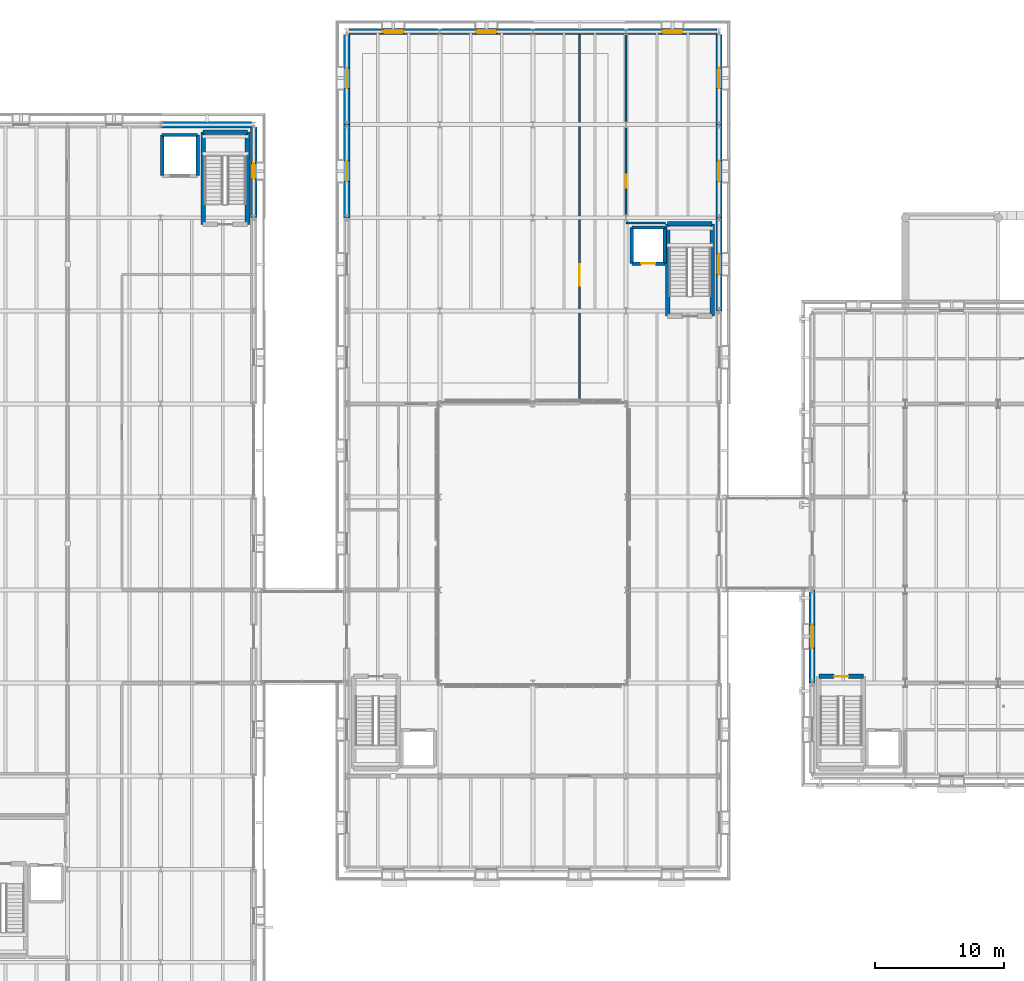
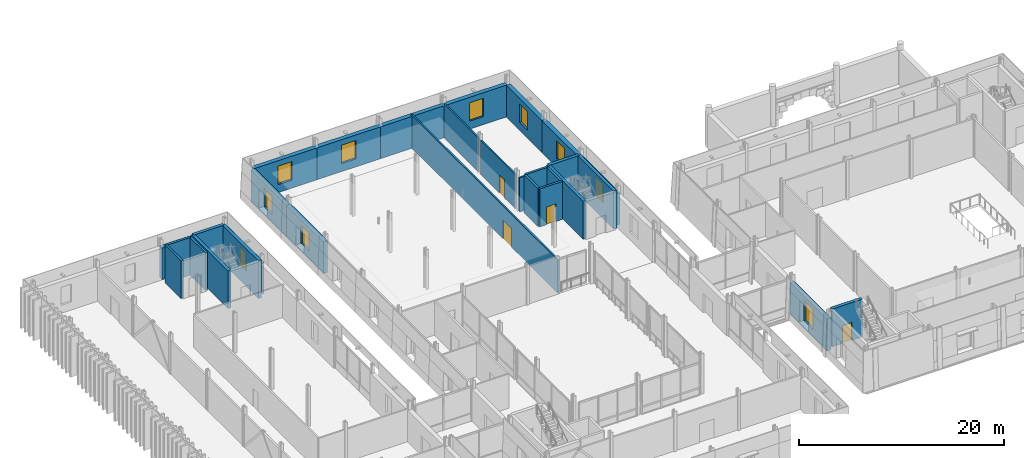
# One storey, part 82 of 121: 30 walls, 10 windows, 4 doors, 14 openings.
"""IFC4 building model written with IfcOpenShell, lengths in metres."""

from ifc_helpers import new_model, si_unit, direction, frame, frame_2d, origin, place, context, subcontext, project, spatial, rectangle, extrude, material, layer, layer_set, type_object, element, fill, save


model = new_model("IFC4")

# Units and contexts
model_context = context("Model", 3, precision=1e-05, world=origin(), true_north=direction((0.0, 1.0)))
body_context = subcontext(model_context, "Body", "Model", "MODEL_VIEW")
ifc_project = project(units=[si_unit("LENGTHUNIT", "METRE"), si_unit("AREAUNIT", "SQUARE_METRE"), si_unit("VOLUMEUNIT", "CUBIC_METRE"), si_unit("PLANEANGLEUNIT", "RADIAN"), si_unit("MASSUNIT", "GRAM", prefix="KILO")], contexts=[model_context])

# Site, building, storey
site_placement = place(None, origin())
site = spatial("IfcSite", under=ifc_project, at=site_placement, CompositionType="ELEMENT")
building_placement = place(site_placement, origin())
building = spatial("IfcBuilding", under=site, at=building_placement, Name="Narikvali Park Central Library", CompositionType="ELEMENT")
storey_placement = place(building_placement, frame((0.0, 0.0, 5.39990234375)))
storey = spatial("IfcBuildingStorey", under=building, at=storey_placement, Name="L01", CompositionType="ELEMENT", Elevation=5.39990234375)

# Wall, opening, door
ifc_material_1 = material(Name="Acoustic Gypsum on Steel Studs", Category="steel")
ifc_layer_1 = layer(ifc_material_1, 0.179931640625, Name="Acoustic Gypsum on Steel Studs")
ifc_layer_set_1 = layer_set([ifc_layer_1], Name="Acoustic Gypsum on Steel Studs")
wall_type_1 = type_object("IfcWallType", Name="Reading Room Acoustic Partition 180", PredefinedType="PARTITIONING", material=ifc_layer_set_1)
wall_1_placement = place(storey_placement, frame((46.800048828125, 86.491943359375, 0.0), z_axis=(0.0, 0.0, 1.0), x_axis=(0.0, 1.0, 0.0)))
wall_1 = element("IfcWall", 1, at=wall_1_placement, inside=storey, type_object=wall_type_1, Name="Sciences and Arts Reading Room L01 Partition E", PredefinedType="PARTITIONING", context=body_context, shape_type="SweptSolid", body=[
    extrude(rectangle(XDim=28.653076171875, YDim=0.179931640625, at=frame_2d((14.32666015625, 0.0))), origin(), (0.0, 0.0, 1.0), 3.955078125),
])
opening_1_placement = place(wall_1_placement, frame((9.049072265625, 0.0, 0.0)))
opening_1 = element("IfcOpeningElement", 2, at=opening_1_placement, cuts=wall_1, Name="Opening ID-0090", PredefinedType="OPENING", context=body_context, shape_type="SweptSolid", body=[
    extrude(rectangle(XDim=1.64990234375, YDim=2.25, at=frame_2d((0.824951171875, 1.125))), frame((0.0, 0.10205078125, 0.0), z_axis=(0.0, -1.0, 0.0), x_axis=(1.0, 0.0, 0.0)), (0.0, 0.0, 1.0), 0.203857421875),
])
ifc_material_2 = material(Name="Caucasian Oak and Tempered Glass", Category="glass")
door_type_1 = type_object("IfcDoorType", Name="Open Stacks Double Glazed Door 1650x2250", OperationType="DOUBLE_DOOR_SINGLE_SWING", PredefinedType="DOOR", material=ifc_material_2)
door_1_placement = place(opening_1_placement, origin())
door_1 = element("IfcDoor", 3, at=door_1_placement, inside=storey, type_object=door_type_1, Name="Sciences and Arts Reading Room L01 Door ID-0090", OperationType="DOUBLE_DOOR_SINGLE_SWING", OverallHeight=2.25, OverallWidth=1.64990234375, PredefinedType="DOOR", context=body_context, shape_type="SweptSolid", body=[
    extrude(rectangle(XDim=1.64990234375, YDim=2.25, at=frame_2d((0.824951171875, 1.125))), frame((0.0, 0.02490234375, 0.0), z_axis=(0.0, -1.0, 0.0), x_axis=(1.0, 0.0, 0.0)), (0.0, 0.0, 1.0), 0.050048828125),
])
fill(opening_1, door_1)

ifc_material_3 = material(Name="Concrete C40/50", Category="concrete")
ifc_layer_2 = layer(ifc_material_3, 0.35009765625, Name="Concrete C40/50")
ifc_layer_set_2 = layer_set([ifc_layer_2], Name="Concrete C40/50")
wall_type_2 = type_object("IfcWallType", Name="Reinforced Concrete Core Shear Wall 350", PredefinedType="SHEAR", material=ifc_layer_set_2)
wall_2_placement = place(storey_placement, frame((68.77001953125, 65.320068359375, 0.0), z_axis=(0.0, 0.0, 1.0), x_axis=(-1.0, 0.0, 0.0)))
wall_2 = element("IfcWall", 4, at=wall_2_placement, inside=storey, type_object=wall_type_2, Name="C1A L01 Stair Core Shear Wall N", PredefinedType="SHEAR", context=body_context, shape_type="SweptSolid", body=[
    extrude(rectangle(XDim=3.43994140625, YDim=0.35009765625, at=frame_2d((1.719970703125, 0.0))), origin(), (0.0, 0.0, 1.0), 4.52001953125),
])
opening_2_placement = place(wall_2_placement, frame((1.169921875, 0.0, 0.0)))
opening_2 = element("IfcOpeningElement", 5, at=opening_2_placement, cuts=wall_2, Name="Opening SD-003", PredefinedType="OPENING", context=body_context, shape_type="SweptSolid", body=[
    extrude(rectangle(XDim=1.10009765625, YDim=2.14990234375, at=frame_2d((0.550048828125, 1.074951171875))), frame((0.0, 0.18701171875, 0.0), z_axis=(0.0, -1.0, 0.0), x_axis=(1.0, 0.0, 0.0)), (0.0, 0.0, 1.0), 0.3740234375),
])
ifc_material_4 = material(Name="Powder-Coated Steel S275 Fire Leaf", Category="steel")
door_type_2 = type_object("IfcDoorType", Name="Stair Core Smoke-Control Fire Door 1100x2150", OperationType="SINGLE_SWING_LEFT", PredefinedType="DOOR", material=ifc_material_4)
door_2_placement = place(opening_2_placement, frame((1.10009765625, 0.0, 0.0), z_axis=(0.0, 0.0, 1.0), x_axis=(-1.0, 0.0, 0.0)))
door_2 = element("IfcDoor", 6, at=door_2_placement, inside=storey, type_object=door_type_2, Name="ST-01 L01 Stair Exit Door SD-003", OperationType="SINGLE_SWING_LEFT", OverallHeight=2.14990234375, OverallWidth=1.10009765625, PredefinedType="DOOR", context=body_context, shape_type="SweptSolid", body=[
    extrude(rectangle(XDim=1.10009765625, YDim=2.14990234375, at=frame_2d((0.550048828125, 1.074951171875))), frame((0.0, 0.02490234375, 0.0), z_axis=(0.0, -1.0, 0.0), x_axis=(1.0, 0.0, 0.0)), (0.0, 0.0, 1.0), 0.050048828125),
])
fill(opening_2, door_2)

# Walls
wall_3_placement = place(storey_placement, frame((57.070068359375, 93.179931640625, 0.0), z_axis=(0.0, 0.0, 1.0), x_axis=(0.0, 1.0, 0.0)))
element("IfcWall", 7, at=wall_3_placement, inside=storey, type_object=wall_type_2, Name="C4B L01 Stair Core Shear Wall E", PredefinedType="SHEAR", context=body_context, shape_type="SweptSolid", body=[
    extrude(rectangle(XDim=7.14013671875, YDim=0.35009765625, at=frame_2d((3.570068359375, 0.0))), origin(), (0.0, 0.0, 1.0), 4.52001953125),
])
wall_4_placement = place(storey_placement, frame((57.070068359375, 100.320068359375, 0.0), z_axis=(0.0, 0.0, 1.0), x_axis=(-1.0, 0.0, 0.0)))
element("IfcWall", 8, at=wall_4_placement, inside=storey, type_object=wall_type_2, Name="C4B L01 Stair Core Shear Wall N", PredefinedType="SHEAR", context=body_context, shape_type="SweptSolid", body=[
    extrude(rectangle(XDim=3.440185546875, YDim=0.35009765625, at=frame_2d((1.72021484375, 0.0))), origin(), (0.0, 0.0, 1.0), 4.52001953125),
])
wall_5_placement = place(storey_placement, frame((53.6298828125, 100.320068359375, 0.0), z_axis=(0.0, 0.0, 1.0), x_axis=(0.0, -1.0, 0.0)))
element("IfcWall", 9, at=wall_5_placement, inside=storey, type_object=wall_type_2, Name="C4B L01 Stair Core Shear Wall W", PredefinedType="SHEAR", context=body_context, shape_type="SweptSolid", body=[
    extrude(rectangle(XDim=7.14013671875, YDim=0.35009765625, at=frame_2d((3.570068359375, 0.0))), origin(), (0.0, 0.0, 1.0), 4.52001953125),
])
wall_6_placement = place(storey_placement, frame((21.1201171875, 100.280029296875, 0.0), z_axis=(0.0, 0.0, 1.0), x_axis=(0.0, 1.0, 0.0)))
element("IfcWall", 10, at=wall_6_placement, inside=storey, type_object=wall_type_2, Name="C5B L01 Stair Core Shear Wall E", PredefinedType="SHEAR", context=body_context, shape_type="SweptSolid", body=[
    extrude(rectangle(XDim=7.139892578125, YDim=0.35009765625, at=frame_2d((3.56982421875, 0.0))), origin(), (0.0, 0.0, 1.0), 4.5),
])
wall_7_placement = place(storey_placement, frame((21.1201171875, 107.419921875, 0.0), z_axis=(0.0, 0.0, 1.0), x_axis=(-1.0, 0.0, 0.0)))
element("IfcWall", 11, at=wall_7_placement, inside=storey, type_object=wall_type_2, Name="C5B L01 Stair Core Shear Wall N", PredefinedType="SHEAR", context=body_context, shape_type="SweptSolid", body=[
    extrude(rectangle(XDim=3.440185546875, YDim=0.35009765625, at=frame_2d((1.72021484375, 0.0))), origin(), (0.0, 0.0, 1.0), 4.5),
])
wall_8_placement = place(storey_placement, frame((17.679931640625, 107.419921875, 0.0), z_axis=(0.0, 0.0, 1.0), x_axis=(0.0, -1.0, 0.0)))
element("IfcWall", 12, at=wall_8_placement, inside=storey, type_object=wall_type_2, Name="C5B L01 Stair Core Shear Wall W", PredefinedType="SHEAR", context=body_context, shape_type="SweptSolid", body=[
    extrude(rectangle(XDim=7.139892578125, YDim=0.35009765625, at=frame_2d((3.56982421875, 0.0))), origin(), (0.0, 0.0, 1.0), 4.5),
])

# Wall, opening, door
ifc_layer_3 = layer(ifc_material_3, 0.25, Name="Concrete C40/50")
ifc_layer_set_3 = layer_set([ifc_layer_3], Name="Concrete C40/50")
wall_type_3 = type_object("IfcWallType", Name="Reinforced Concrete Lift Shaft Wall 250", PredefinedType="SHEAR", material=ifc_layer_set_3)
wall_9_placement = place(storey_placement, frame((50.85009765625, 97.25, 0.0), z_axis=(0.0, 0.0, 1.0), x_axis=(1.0, 0.0, 0.0)))
wall_9 = element("IfcWall", 13, at=wall_9_placement, inside=storey, type_object=wall_type_3, Name="L-06 L01 Lift Shaft Wall S", PredefinedType="SHEAR", context=body_context, shape_type="SweptSolid", body=[
    extrude(rectangle(XDim=2.5498046875, YDim=0.25, at=frame_2d((1.27490234375, 0.0))), origin(), (0.0, 0.0, 1.0), 4.52001953125),
])
opening_3_placement = place(wall_9_placement, frame((0.72509765625, 0.0, 0.0)))
opening_3 = element("IfcOpeningElement", 14, at=opening_3_placement, cuts=wall_9, Name="Opening LD-030", PredefinedType="OPENING", context=body_context, shape_type="SweptSolid", body=[
    extrude(rectangle(XDim=1.10009765625, YDim=2.10009765625, at=frame_2d((0.550048828125, 1.050048828125))), frame((0.0, 0.136962890625, 0.0), z_axis=(0.0, -1.0, 0.0), x_axis=(1.0, 0.0, 0.0)), (0.0, 0.0, 1.0), 0.27392578125),
])
ifc_material_5 = material(Name="Brushed Stainless Steel S355", Category="steel")
door_type_3 = type_object("IfcDoorType", Name="Passenger Lift Sliding Landing Door 1100x2100", OperationType="SLIDING_TO_LEFT", PredefinedType="DOOR", material=ifc_material_5)
door_3_placement = place(opening_3_placement, origin())
door_3 = element("IfcDoor", 15, at=door_3_placement, inside=storey, type_object=door_type_3, Name="L-06 L01 Lift Landing Sliding Door LD-030", OperationType="SLIDING_TO_LEFT", OverallHeight=2.10009765625, OverallWidth=1.10009765625, PredefinedType="DOOR", context=body_context, shape_type="SweptSolid", body=[
    extrude(rectangle(XDim=1.10009765625, YDim=2.10009765625, at=frame_2d((0.550048828125, 1.050048828125))), frame((0.0, 0.02490234375, 0.0), z_axis=(0.0, -1.0, 0.0), x_axis=(1.0, 0.0, 0.0)), (0.0, 0.0, 1.0), 0.050048828125),
])
fill(opening_3, door_3)

# Walls
wall_10_placement = place(storey_placement, frame((53.39990234375, 97.25, 0.0), z_axis=(0.0, 0.0, 1.0), x_axis=(0.0, 1.0, 0.0)))
element("IfcWall", 16, at=wall_10_placement, inside=storey, type_object=wall_type_3, Name="L-06 L01 Lift Shaft Wall E", PredefinedType="SHEAR", context=body_context, shape_type="SweptSolid", body=[
    extrude(rectangle(XDim=2.800048828125, YDim=0.25, at=frame_2d((1.39990234375, 0.0))), origin(), (0.0, 0.0, 1.0), 4.52001953125),
])
wall_11_placement = place(storey_placement, frame((53.39990234375, 100.050048828125, 0.0), z_axis=(0.0, 0.0, 1.0), x_axis=(-1.0, 0.0, 0.0)))
element("IfcWall", 17, at=wall_11_placement, inside=storey, type_object=wall_type_3, Name="L-06 L01 Lift Shaft Wall N", PredefinedType="SHEAR", context=body_context, shape_type="SweptSolid", body=[
    extrude(rectangle(XDim=2.5498046875, YDim=0.25, at=frame_2d((1.27490234375, 0.0))), origin(), (0.0, 0.0, 1.0), 4.52001953125),
])
wall_12_placement = place(storey_placement, frame((50.85009765625, 100.050048828125, 0.0), z_axis=(0.0, 0.0, 1.0), x_axis=(0.0, -1.0, 0.0)))
element("IfcWall", 18, at=wall_12_placement, inside=storey, type_object=wall_type_3, Name="L-06 L01 Lift Shaft Wall W", PredefinedType="SHEAR", context=body_context, shape_type="SweptSolid", body=[
    extrude(rectangle(XDim=2.800048828125, YDim=0.25, at=frame_2d((1.39990234375, 0.0))), origin(), (0.0, 0.0, 1.0), 4.52001953125),
])
wall_13_placement = place(storey_placement, frame((17.27001953125, 104.050048828125, 0.0), z_axis=(0.0, 0.0, 1.0), x_axis=(0.0, 1.0, 0.0)))
element("IfcWall", 19, at=wall_13_placement, inside=storey, type_object=wall_type_3, Name="GL-02 L01 Lift Shaft Wall E", PredefinedType="SHEAR", context=body_context, shape_type="SweptSolid", body=[
    extrude(rectangle(XDim=3.14990234375, YDim=0.25, at=frame_2d((1.574951171875, 0.0))), origin(), (0.0, 0.0, 1.0), 4.5),
])
wall_14_placement = place(storey_placement, frame((17.27001953125, 107.199951171875, 0.0), z_axis=(0.0, 0.0, 1.0), x_axis=(-1.0, 0.0, 0.0)))
element("IfcWall", 20, at=wall_14_placement, inside=storey, type_object=wall_type_3, Name="GL-02 L01 Lift Shaft Wall N", PredefinedType="SHEAR", context=body_context, shape_type="SweptSolid", body=[
    extrude(rectangle(XDim=2.75, YDim=0.25, at=frame_2d((1.375, 0.0))), origin(), (0.0, 0.0, 1.0), 4.5),
])
wall_15_placement = place(storey_placement, frame((14.52001953125, 107.199951171875, 0.0), z_axis=(0.0, 0.0, 1.0), x_axis=(0.0, -1.0, 0.0)))
element("IfcWall", 21, at=wall_15_placement, inside=storey, type_object=wall_type_3, Name="GL-02 L01 Lift Shaft Wall W", PredefinedType="SHEAR", context=body_context, shape_type="SweptSolid", body=[
    extrude(rectangle(XDim=3.14990234375, YDim=0.25, at=frame_2d((1.574951171875, 0.0))), origin(), (0.0, 0.0, 1.0), 4.5),
])
ifc_material_6 = material(Name="Gypsum Board on Galvanised Steel Studs", Category="steel")
ifc_layer_4 = layer(ifc_material_6, 0.159912109375, Name="Gypsum Board on Galvanised Steel Studs")
ifc_layer_set_4 = layer_set([ifc_layer_4], Name="Gypsum Board on Galvanised Steel Studs")
wall_type_4 = type_object("IfcWallType", Name="Study Room Partition Wall 160", PredefinedType="PARTITIONING", material=ifc_layer_set_4)
wall_16_placement = place(storey_placement, frame((50.39990234375, 100.39990234375, 0.0), z_axis=(0.0, 0.0, 1.0), x_axis=(1.0, 0.0, 0.0)))
element("IfcWall", 22, at=wall_16_placement, inside=storey, type_object=wall_type_4, Name="North Boulevard Scholar Carrels L01 Partition S", PredefinedType="PARTITIONING", context=body_context, shape_type="SweptSolid", body=[
    extrude(rectangle(XDim=3.052978515625, YDim=0.159912109375, at=frame_2d((1.5263671875, 0.0))), origin(), (0.0, 0.0, 1.0), 4.065185546875),
])

# Wall, opening, door
wall_17_placement = place(storey_placement, frame((50.39990234375, 101.029052734375, 0.0), z_axis=(0.0, 0.0, 1.0), x_axis=(0.0, 1.0, 0.0)))
wall_17 = element("IfcWall", 23, at=wall_17_placement, inside=storey, type_object=wall_type_4, Name="North Boulevard Scholar Carrels L01 Partition W", PredefinedType="PARTITIONING", context=body_context, shape_type="SweptSolid", body=[
    extrude(rectangle(XDim=6.741943359375, YDim=0.159912109375, at=frame_2d((3.37109375, 0.0))), origin(), (0.0, 0.0, 1.0), 4.065185546875),
])
opening_4_placement = place(wall_17_placement, frame((2.10546875, 0.0, 0.0)))
opening_4 = element("IfcOpeningElement", 24, at=opening_4_placement, cuts=wall_17, Name="Opening ID-0089", PredefinedType="OPENING", context=body_context, shape_type="SweptSolid", body=[
    extrude(rectangle(XDim=1.0, YDim=2.14990234375, at=frame_2d((0.5, 1.074951171875))), frame((0.0, 0.091796875, 0.0), z_axis=(0.0, -1.0, 0.0), x_axis=(1.0, 0.0, 0.0)), (0.0, 0.0, 1.0), 0.183837890625),
])
ifc_material_7 = material(Name="Solid Caucasian Oak")
door_type_4 = type_object("IfcDoorType", Name="Study Room Single Oak Door 1000x2150", OperationType="SINGLE_SWING_LEFT", PredefinedType="DOOR", material=ifc_material_7)
door_4_placement = place(opening_4_placement, frame((1.0, 0.0, 0.0), z_axis=(0.0, 0.0, 1.0), x_axis=(-1.0, 0.0, 0.0)))
door_4 = element("IfcDoor", 25, at=door_4_placement, inside=storey, type_object=door_type_4, Name="North Boulevard Scholar Carrels L01 Door ID-0089", OperationType="SINGLE_SWING_LEFT", OverallHeight=2.14990234375, OverallWidth=1.0, PredefinedType="DOOR", context=body_context, shape_type="SweptSolid", body=[
    extrude(rectangle(XDim=1.0, YDim=2.14990234375, at=frame_2d((0.5, 1.074951171875))), frame((0.0, 0.02490234375, 0.0), z_axis=(0.0, -1.0, 0.0), x_axis=(1.0, 0.0, 0.0)), (0.0, 0.0, 1.0), 0.050048828125),
])
fill(opening_4, door_4)

# Wall
wall_18_placement = place(storey_placement, frame((50.39990234375, 108.22900390625, 0.0), z_axis=(0.0, 0.0, 1.0), x_axis=(0.0, 1.0, 0.0)))
element("IfcWall", 26, at=wall_18_placement, inside=storey, type_object=wall_type_4, Name="North Boulevard Scholar Carrels L01 Partition W", PredefinedType="PARTITIONING", context=body_context, shape_type="SweptSolid", body=[
    extrude(rectangle(XDim=6.741943359375, YDim=0.159912109375, at=frame_2d((3.37109375, 0.0))), origin(), (0.0, 0.0, 1.0), 4.065185546875),
])

# Wall, opening, window
ifc_material_8 = material(Name="White Honed Limestone over Concrete C35/45", Category="masonry")
ifc_layer_5 = layer(ifc_material_8, 0.47998046875, Name="White Honed Limestone over Concrete C35/45")
ifc_layer_set_5 = layer_set([ifc_layer_5], Name="White Honed Limestone over Concrete C35/45")
wall_type_5 = type_object("IfcWallType", Name="White Limestone Battered Tier1 Wall 480", PredefinedType="SOLIDWALL", material=ifc_layer_set_5)
wall_19_placement = place(storey_placement, frame((64.800048828125, 72.0, 0.0), z_axis=(0.0, 0.0, 1.0), x_axis=(0.0, -1.0, 0.0)))
wall_19 = element("IfcWall", 27, at=wall_19_placement, inside=storey, type_object=wall_type_5, Name="V1 L01 W Exterior Limestone Wall B04", PredefinedType="SOLIDWALL", context=body_context, shape_type="SweptSolid", body=[
    extrude(rectangle(XDim=7.199951171875, YDim=0.47998046875, at=frame_2d((3.60009765625, 0.0))), origin(), (0.0, 0.0, 1.0), 3.800048828125),
])
opening_5_placement = place(wall_19_placement, frame((2.699951171875, 0.0, 0.89990234375)))
opening_5 = element("IfcOpeningElement", 28, at=opening_5_placement, cuts=wall_19, Name="Opening WIN-0022", PredefinedType="OPENING", context=body_context, shape_type="SweptSolid", body=[
    extrude(rectangle(XDim=1.800048828125, YDim=2.449951171875, at=frame_2d((0.89990234375, 1.22509765625))), frame((0.0, 0.251953125, 0.0), z_axis=(0.0, -1.0, 0.0), x_axis=(1.0, 0.0, 0.0)), (0.0, 0.0, 1.0), 0.50390625),
])
ifc_material_9 = material(Name="Anodised Bronze Aluminium and Low-E Triple Glazing", Category="aluminium")
window_type_1 = type_object("IfcWindowType", Name="Rotunda Piano Nobile Tall Classical Window 1800x2450", PartitioningType="DOUBLE_PANEL_VERTICAL", PredefinedType="WINDOW", material=ifc_material_9)
window_1_placement = place(opening_5_placement, origin())
window_1 = element("IfcWindow", 29, at=window_1_placement, inside=storey, type_object=window_type_1, Name="V1 L01 W Deep-Reveal Window WIN-0022", OverallHeight=2.449951171875, OverallWidth=1.800048828125, PartitioningType="SINGLE_PANEL", PredefinedType="WINDOW", context=body_context, shape_type="SweptSolid", body=[
    extrude(rectangle(XDim=1.800048828125, YDim=2.449951171875, at=frame_2d((0.89990234375, 1.22509765625))), frame((0.0, 0.030029296875, 0.0), z_axis=(0.0, -1.0, 0.0), x_axis=(1.0, 0.0, 0.0)), (0.0, 0.0, 1.0), 0.06005859375),
])
fill(opening_5, window_1)

wall_20_placement = place(storey_placement, frame((57.60009765625, 93.60009765625, 0.0), z_axis=(0.0, 0.0, 1.0), x_axis=(0.0, 1.0, 0.0)))
wall_20 = element("IfcWall", 30, at=wall_20_placement, inside=storey, type_object=wall_type_5, Name="V4 L01 E Exterior Limestone Wall B07", PredefinedType="SOLIDWALL", context=body_context, shape_type="SweptSolid", body=[
    extrude(rectangle(XDim=7.199951171875, YDim=0.47998046875, at=frame_2d((3.60009765625, 0.0))), origin(), (0.0, 0.0, 1.0), 3.800048828125),
])
opening_6_placement = place(wall_20_placement, frame((2.800048828125, 0.0, 0.949951171875)))
opening_6 = element("IfcOpeningElement", 31, at=opening_6_placement, cuts=wall_20, Name="Opening WIN-0150", PredefinedType="OPENING", context=body_context, shape_type="SweptSolid", body=[
    extrude(rectangle(XDim=1.60009765625, YDim=2.199951171875, at=frame_2d((0.800048828125, 1.10009765625))), frame((0.0, 0.251953125, 0.0), z_axis=(0.0, -1.0, 0.0), x_axis=(1.0, 0.0, 0.0)), (0.0, 0.0, 1.0), 0.50390625),
])
window_type_2 = type_object("IfcWindowType", Name="Atrium Reading Wing Classical Window 1600x2200", PartitioningType="DOUBLE_PANEL_VERTICAL", PredefinedType="WINDOW", material=ifc_material_9)
window_2_placement = place(opening_6_placement, origin())
window_2 = element("IfcWindow", 32, at=window_2_placement, inside=storey, type_object=window_type_2, Name="V4 L01 E Deep-Reveal Window WIN-0150", OverallHeight=2.199951171875, OverallWidth=1.60009765625, PartitioningType="SINGLE_PANEL", PredefinedType="WINDOW", context=body_context, shape_type="SweptSolid", body=[
    extrude(rectangle(XDim=1.60009765625, YDim=2.199951171875, at=frame_2d((0.800048828125, 1.10009765625))), frame((0.0, 0.030029296875, 0.0), z_axis=(0.0, -1.0, 0.0), x_axis=(1.0, 0.0, 0.0)), (0.0, 0.0, 1.0), 0.06005859375),
])
fill(opening_6, window_2)

wall_21_placement = place(storey_placement, frame((57.60009765625, 100.800048828125, 0.0), z_axis=(0.0, 0.0, 1.0), x_axis=(0.0, 1.0, 0.0)))
wall_21 = element("IfcWall", 33, at=wall_21_placement, inside=storey, type_object=wall_type_5, Name="V4 L01 E Exterior Limestone Wall B08", PredefinedType="SOLIDWALL", context=body_context, shape_type="SweptSolid", body=[
    extrude(rectangle(XDim=7.199951171875, YDim=0.47998046875, at=frame_2d((3.60009765625, 0.0))), origin(), (0.0, 0.0, 1.0), 3.800048828125),
])
opening_7_placement = place(wall_21_placement, frame((2.800048828125, 0.0, 0.949951171875)))
opening_7 = element("IfcOpeningElement", 34, at=opening_7_placement, cuts=wall_21, Name="Opening WIN-0151", PredefinedType="OPENING", context=body_context, shape_type="SweptSolid", body=[
    extrude(rectangle(XDim=1.60009765625, YDim=2.199951171875, at=frame_2d((0.800048828125, 1.10009765625))), frame((0.0, 0.251953125, 0.0), z_axis=(0.0, -1.0, 0.0), x_axis=(1.0, 0.0, 0.0)), (0.0, 0.0, 1.0), 0.50390625),
])
window_3_placement = place(opening_7_placement, origin())
window_3 = element("IfcWindow", 35, at=window_3_placement, inside=storey, type_object=window_type_2, Name="V4 L01 E Deep-Reveal Window WIN-0151", OverallHeight=2.199951171875, OverallWidth=1.60009765625, PartitioningType="SINGLE_PANEL", PredefinedType="WINDOW", context=body_context, shape_type="SweptSolid", body=[
    extrude(rectangle(XDim=1.60009765625, YDim=2.199951171875, at=frame_2d((0.800048828125, 1.10009765625))), frame((0.0, 0.030029296875, 0.0), z_axis=(0.0, -1.0, 0.0), x_axis=(1.0, 0.0, 0.0)), (0.0, 0.0, 1.0), 0.06005859375),
])
fill(opening_7, window_3)

wall_22_placement = place(storey_placement, frame((57.60009765625, 108.0, 0.0), z_axis=(0.0, 0.0, 1.0), x_axis=(0.0, 1.0, 0.0)))
wall_22 = element("IfcWall", 36, at=wall_22_placement, inside=storey, type_object=wall_type_5, Name="V4 L01 E Exterior Limestone Wall B09", PredefinedType="SOLIDWALL", context=body_context, shape_type="SweptSolid", body=[
    extrude(rectangle(XDim=6.970947265625, YDim=0.47998046875, at=frame_2d((3.4853515625, 0.0))), origin(), (0.0, 0.0, 1.0), 3.800048828125),
])
opening_8_placement = place(wall_22_placement, frame((2.800048828125, 0.0, 0.949951171875)))
opening_8 = element("IfcOpeningElement", 37, at=opening_8_placement, cuts=wall_22, Name="Opening WIN-0152", PredefinedType="OPENING", context=body_context, shape_type="SweptSolid", body=[
    extrude(rectangle(XDim=1.60009765625, YDim=2.199951171875, at=frame_2d((0.800048828125, 1.10009765625))), frame((0.0, 0.251953125, 0.0), z_axis=(0.0, -1.0, 0.0), x_axis=(1.0, 0.0, 0.0)), (0.0, 0.0, 1.0), 0.50390625),
])
window_4_placement = place(opening_8_placement, origin())
window_4 = element("IfcWindow", 38, at=window_4_placement, inside=storey, type_object=window_type_2, Name="V4 L01 E Deep-Reveal Window WIN-0152", OverallHeight=2.199951171875, OverallWidth=1.60009765625, PartitioningType="SINGLE_PANEL", PredefinedType="WINDOW", context=body_context, shape_type="SweptSolid", body=[
    extrude(rectangle(XDim=1.60009765625, YDim=2.199951171875, at=frame_2d((0.800048828125, 1.10009765625))), frame((0.0, 0.030029296875, 0.0), z_axis=(0.0, -1.0, 0.0), x_axis=(1.0, 0.0, 0.0)), (0.0, 0.0, 1.0), 0.06005859375),
])
fill(opening_8, window_4)

wall_23_placement = place(storey_placement, frame((57.446044921875, 115.199951171875, 0.0), z_axis=(0.0, 0.0, 1.0), x_axis=(-1.0, 0.0, 0.0)))
wall_23 = element("IfcWall", 39, at=wall_23_placement, inside=storey, type_object=wall_type_5, Name="V4 L01 N Exterior Limestone Wall B01", PredefinedType="SOLIDWALL", context=body_context, shape_type="SweptSolid", body=[
    extrude(rectangle(XDim=7.046142578125, YDim=0.47998046875, at=frame_2d((3.52294921875, 0.0))), origin(), (0.0, 0.0, 1.0), 3.800048828125),
])
opening_9_placement = place(wall_23_placement, frame((2.64599609375, 0.0, 0.949951171875)))
opening_9 = element("IfcOpeningElement", 40, at=opening_9_placement, cuts=wall_23, Name="Opening WIN-0153", PredefinedType="OPENING", context=body_context, shape_type="SweptSolid", body=[
    extrude(rectangle(XDim=1.60009765625, YDim=2.199951171875, at=frame_2d((0.800048828125, 1.10009765625))), frame((0.0, 0.251953125, 0.0), z_axis=(0.0, -1.0, 0.0), x_axis=(1.0, 0.0, 0.0)), (0.0, 0.0, 1.0), 0.50390625),
])
window_5_placement = place(opening_9_placement, origin())
window_5 = element("IfcWindow", 41, at=window_5_placement, inside=storey, type_object=window_type_2, Name="V4 L01 N Deep-Reveal Window WIN-0153", OverallHeight=2.199951171875, OverallWidth=1.60009765625, PartitioningType="SINGLE_PANEL", PredefinedType="WINDOW", context=body_context, shape_type="SweptSolid", body=[
    extrude(rectangle(XDim=1.60009765625, YDim=2.199951171875, at=frame_2d((0.800048828125, 1.10009765625))), frame((0.0, 0.030029296875, 0.0), z_axis=(0.0, -1.0, 0.0), x_axis=(1.0, 0.0, 0.0)), (0.0, 0.0, 1.0), 0.06005859375),
])
fill(opening_9, window_5)

# Wall
wall_24_placement = place(storey_placement, frame((50.39990234375, 115.199951171875, 0.0), z_axis=(0.0, 0.0, 1.0), x_axis=(-1.0, 0.0, 0.0)))
element("IfcWall", 42, at=wall_24_placement, inside=storey, type_object=wall_type_5, Name="V4 L01 N Exterior Limestone Wall B02", PredefinedType="SOLIDWALL", context=body_context, shape_type="SweptSolid", body=[
    extrude(rectangle(XDim=7.199951171875, YDim=0.47998046875, at=frame_2d((3.60009765625, 0.0))), origin(), (0.0, 0.0, 1.0), 3.800048828125),
])

# Wall, opening, window
wall_25_placement = place(storey_placement, frame((43.199951171875, 115.199951171875, 0.0), z_axis=(0.0, 0.0, 1.0), x_axis=(-1.0, 0.0, 0.0)))
wall_25 = element("IfcWall", 43, at=wall_25_placement, inside=storey, type_object=wall_type_5, Name="V4 L01 N Exterior Limestone Wall B03", PredefinedType="SOLIDWALL", context=body_context, shape_type="SweptSolid", body=[
    extrude(rectangle(XDim=7.199951171875, YDim=0.47998046875, at=frame_2d((3.60009765625, 0.0))), origin(), (0.0, 0.0, 1.0), 3.800048828125),
])
opening_10_placement = place(wall_25_placement, frame((2.800048828125, 0.0, 0.949951171875)))
opening_10 = element("IfcOpeningElement", 44, at=opening_10_placement, cuts=wall_25, Name="Opening WIN-0154", PredefinedType="OPENING", context=body_context, shape_type="SweptSolid", body=[
    extrude(rectangle(XDim=1.60009765625, YDim=2.199951171875, at=frame_2d((0.800048828125, 1.10009765625))), frame((0.0, 0.251953125, 0.0), z_axis=(0.0, -1.0, 0.0), x_axis=(1.0, 0.0, 0.0)), (0.0, 0.0, 1.0), 0.50390625),
])
window_6_placement = place(opening_10_placement, origin())
window_6 = element("IfcWindow", 45, at=window_6_placement, inside=storey, type_object=window_type_2, Name="V4 L01 N Deep-Reveal Window WIN-0154", OverallHeight=2.199951171875, OverallWidth=1.60009765625, PartitioningType="SINGLE_PANEL", PredefinedType="WINDOW", context=body_context, shape_type="SweptSolid", body=[
    extrude(rectangle(XDim=1.60009765625, YDim=2.199951171875, at=frame_2d((0.800048828125, 1.10009765625))), frame((0.0, 0.030029296875, 0.0), z_axis=(0.0, -1.0, 0.0), x_axis=(1.0, 0.0, 0.0)), (0.0, 0.0, 1.0), 0.06005859375),
])
fill(opening_10, window_6)

wall_26_placement = place(storey_placement, frame((36.0, 115.199951171875, 0.0), z_axis=(0.0, 0.0, 1.0), x_axis=(-1.0, 0.0, 0.0)))
wall_26 = element("IfcWall", 46, at=wall_26_placement, inside=storey, type_object=wall_type_5, Name="V4 L01 N Exterior Limestone Wall B04", PredefinedType="SOLIDWALL", context=body_context, shape_type="SweptSolid", body=[
    extrude(rectangle(XDim=7.0458984375, YDim=0.47998046875, at=frame_2d((3.52294921875, 0.0))), origin(), (0.0, 0.0, 1.0), 3.800048828125),
])
opening_11_placement = place(wall_26_placement, frame((2.800048828125, 0.0, 0.949951171875)))
opening_11 = element("IfcOpeningElement", 47, at=opening_11_placement, cuts=wall_26, Name="Opening WIN-0155", PredefinedType="OPENING", context=body_context, shape_type="SweptSolid", body=[
    extrude(rectangle(XDim=1.60009765625, YDim=2.199951171875, at=frame_2d((0.800048828125, 1.10009765625))), frame((0.0, 0.251953125, 0.0), z_axis=(0.0, -1.0, 0.0), x_axis=(1.0, 0.0, 0.0)), (0.0, 0.0, 1.0), 0.50390625),
])
window_7_placement = place(opening_11_placement, origin())
window_7 = element("IfcWindow", 48, at=window_7_placement, inside=storey, type_object=window_type_2, Name="V4 L01 N Deep-Reveal Window WIN-0155", OverallHeight=2.199951171875, OverallWidth=1.60009765625, PartitioningType="SINGLE_PANEL", PredefinedType="WINDOW", context=body_context, shape_type="SweptSolid", body=[
    extrude(rectangle(XDim=1.60009765625, YDim=2.199951171875, at=frame_2d((0.800048828125, 1.10009765625))), frame((0.0, 0.030029296875, 0.0), z_axis=(0.0, -1.0, 0.0), x_axis=(1.0, 0.0, 0.0)), (0.0, 0.0, 1.0), 0.06005859375),
])
fill(opening_11, window_7)

wall_27_placement = place(storey_placement, frame((28.800048828125, 114.970947265625, 0.0), z_axis=(0.0, 0.0, 1.0), x_axis=(0.0, -1.0, 0.0)))
wall_27 = element("IfcWall", 49, at=wall_27_placement, inside=storey, type_object=wall_type_5, Name="V4 L01 W Exterior Limestone Wall B01", PredefinedType="SOLIDWALL", context=body_context, shape_type="SweptSolid", body=[
    extrude(rectangle(XDim=6.970947265625, YDim=0.47998046875, at=frame_2d((3.4853515625, 0.0))), origin(), (0.0, 0.0, 1.0), 3.800048828125),
])
opening_12_placement = place(wall_27_placement, frame((2.571044921875, 0.0, 0.949951171875)))
opening_12 = element("IfcOpeningElement", 50, at=opening_12_placement, cuts=wall_27, Name="Opening WIN-0156", PredefinedType="OPENING", context=body_context, shape_type="SweptSolid", body=[
    extrude(rectangle(XDim=1.60009765625, YDim=2.199951171875, at=frame_2d((0.800048828125, 1.10009765625))), frame((0.0, 0.251953125, 0.0), z_axis=(0.0, -1.0, 0.0), x_axis=(1.0, 0.0, 0.0)), (0.0, 0.0, 1.0), 0.50390625),
])
window_8_placement = place(opening_12_placement, origin())
window_8 = element("IfcWindow", 51, at=window_8_placement, inside=storey, type_object=window_type_2, Name="V4 L01 W Deep-Reveal Window WIN-0156", OverallHeight=2.199951171875, OverallWidth=1.60009765625, PartitioningType="SINGLE_PANEL", PredefinedType="WINDOW", context=body_context, shape_type="SweptSolid", body=[
    extrude(rectangle(XDim=1.60009765625, YDim=2.199951171875, at=frame_2d((0.800048828125, 1.10009765625))), frame((0.0, 0.030029296875, 0.0), z_axis=(0.0, -1.0, 0.0), x_axis=(1.0, 0.0, 0.0)), (0.0, 0.0, 1.0), 0.06005859375),
])
fill(opening_12, window_8)

wall_28_placement = place(storey_placement, frame((28.800048828125, 108.0, 0.0), z_axis=(0.0, 0.0, 1.0), x_axis=(0.0, -1.0, 0.0)))
wall_28 = element("IfcWall", 52, at=wall_28_placement, inside=storey, type_object=wall_type_5, Name="V4 L01 W Exterior Limestone Wall B02", PredefinedType="SOLIDWALL", context=body_context, shape_type="SweptSolid", body=[
    extrude(rectangle(XDim=7.199951171875, YDim=0.47998046875, at=frame_2d((3.60009765625, 0.0))), origin(), (0.0, 0.0, 1.0), 3.800048828125),
])
opening_13_placement = place(wall_28_placement, frame((2.800048828125, 0.0, 0.949951171875)))
opening_13 = element("IfcOpeningElement", 53, at=opening_13_placement, cuts=wall_28, Name="Opening WIN-0157", PredefinedType="OPENING", context=body_context, shape_type="SweptSolid", body=[
    extrude(rectangle(XDim=1.60009765625, YDim=2.199951171875, at=frame_2d((0.800048828125, 1.10009765625))), frame((0.0, 0.251953125, 0.0), z_axis=(0.0, -1.0, 0.0), x_axis=(1.0, 0.0, 0.0)), (0.0, 0.0, 1.0), 0.50390625),
])
window_9_placement = place(opening_13_placement, origin())
window_9 = element("IfcWindow", 54, at=window_9_placement, inside=storey, type_object=window_type_2, Name="V4 L01 W Deep-Reveal Window WIN-0157", OverallHeight=2.199951171875, OverallWidth=1.60009765625, PartitioningType="SINGLE_PANEL", PredefinedType="WINDOW", context=body_context, shape_type="SweptSolid", body=[
    extrude(rectangle(XDim=1.60009765625, YDim=2.199951171875, at=frame_2d((0.800048828125, 1.10009765625))), frame((0.0, 0.030029296875, 0.0), z_axis=(0.0, -1.0, 0.0), x_axis=(1.0, 0.0, 0.0)), (0.0, 0.0, 1.0), 0.06005859375),
])
fill(opening_13, window_9)

wall_29_placement = place(storey_placement, frame((21.60009765625, 100.800048828125, 0.0), z_axis=(0.0, 0.0, 1.0), x_axis=(0.0, 1.0, 0.0)))
wall_29 = element("IfcWall", 55, at=wall_29_placement, inside=storey, type_object=wall_type_5, Name="V5 L01 E Exterior Limestone Wall B11", PredefinedType="SOLIDWALL", context=body_context, shape_type="SweptSolid", body=[
    extrude(rectangle(XDim=7.016357421875, YDim=0.47998046875, at=frame_2d((3.50830078125, 0.0))), origin(), (0.0, 0.0, 1.0), 3.780029296875),
])
opening_14_placement = place(wall_29_placement, frame((3.0, 0.0, 0.949951171875)))
opening_14 = element("IfcOpeningElement", 56, at=opening_14_placement, cuts=wall_29, Name="Opening WIN-0249", PredefinedType="OPENING", context=body_context, shape_type="SweptSolid", body=[
    extrude(rectangle(XDim=1.199951171875, YDim=2.14990234375, at=frame_2d((0.60009765625, 1.074951171875))), frame((0.0, 0.251953125, 0.0), z_axis=(0.0, -1.0, 0.0), x_axis=(1.0, 0.0, 0.0)), (0.0, 0.0, 1.0), 0.50390625),
])
window_type_3 = type_object("IfcWindowType", Name="Stacks Archive Deep-Reveal Punched Window 1200x2150", PartitioningType="SINGLE_PANEL", PredefinedType="WINDOW", material=ifc_material_9)
window_10_placement = place(opening_14_placement, origin())
window_10 = element("IfcWindow", 57, at=window_10_placement, inside=storey, type_object=window_type_3, Name="V5 L01 E Deep-Reveal Window WIN-0249", OverallHeight=2.14990234375, OverallWidth=1.199951171875, PartitioningType="SINGLE_PANEL", PredefinedType="WINDOW", context=body_context, shape_type="SweptSolid", body=[
    extrude(rectangle(XDim=1.199951171875, YDim=2.14990234375, at=frame_2d((0.60009765625, 1.074951171875))), frame((0.0, 0.030029296875, 0.0), z_axis=(0.0, -1.0, 0.0), x_axis=(1.0, 0.0, 0.0)), (0.0, 0.0, 1.0), 0.06005859375),
])
fill(opening_14, window_10)

# Wall
wall_30_placement = place(storey_placement, frame((21.44140625, 108.0, 0.0), z_axis=(0.0, 0.0, 1.0), x_axis=(-1.0, 0.0, 0.0)))
element("IfcWall", 58, at=wall_30_placement, inside=storey, type_object=wall_type_5, Name="V5 L01 N Exterior Limestone Wall B01", PredefinedType="SOLIDWALL", context=body_context, shape_type="SweptSolid", body=[
    extrude(rectangle(XDim=7.04150390625, YDim=0.47998046875, at=frame_2d((3.520751953125, 0.0))), origin(), (0.0, 0.0, 1.0), 3.780029296875),
])

save(model, "model.ifc")
